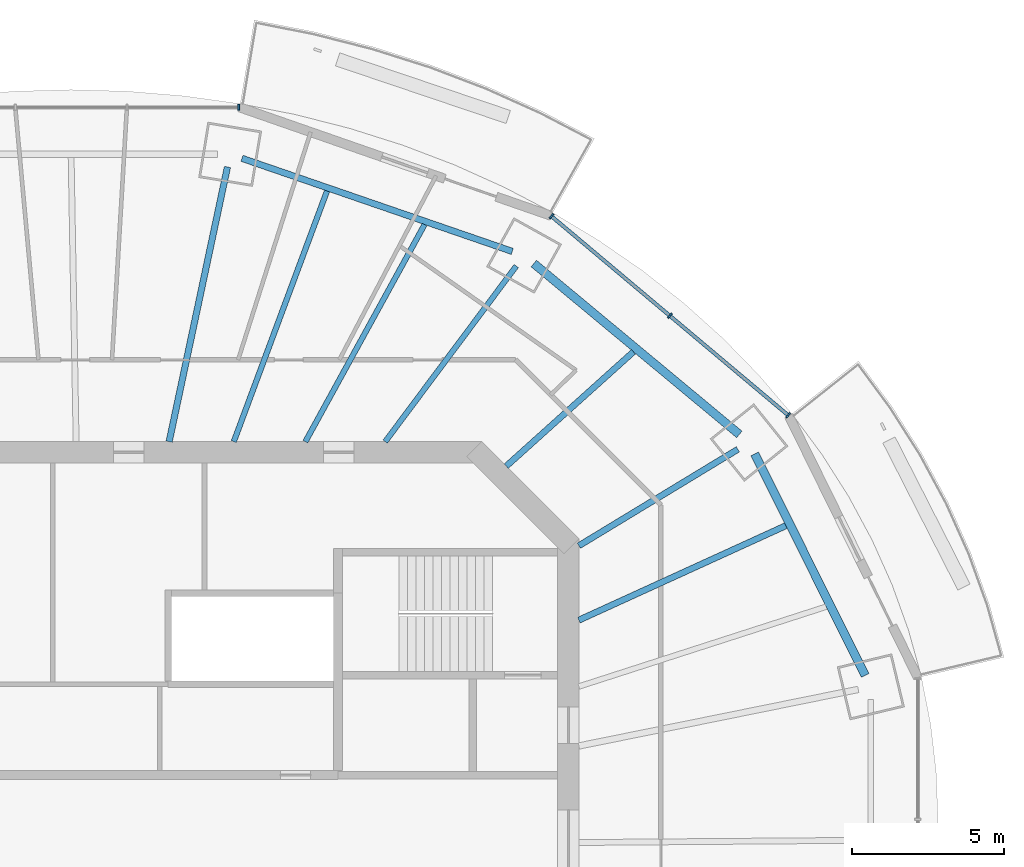
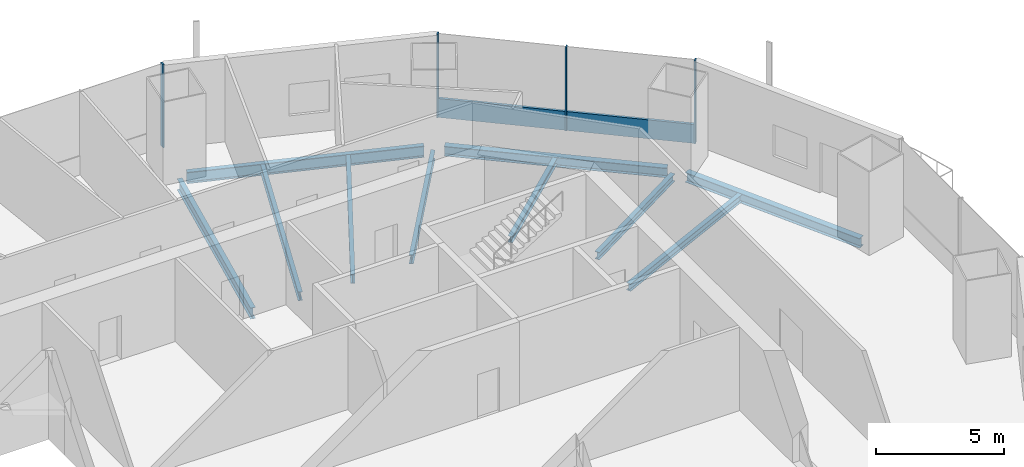
# One storey, part 6 of 16: 10 beams, 5 members, 2 elements without a shape of their own.
"""IFC4 building model written with IfcOpenShell, lengths in metres."""

from ifc_helpers import new_model, si_unit, direction, frame, origin, origin_2d, place, context, subcontext, project, spatial, rectangle, i_section, extrude, material, material_profile, profile_set, type_object, element, aggregate, save


model = new_model("IFC4")

# Units and contexts
model_context = context("Model", 3, precision=1e-05, world=origin(), true_north=direction((0.0, 1.0)))
body_context = subcontext(model_context, "Body", "Model", "MODEL_VIEW")
ifc_project = project(units=[si_unit("LENGTHUNIT", "METRE"), si_unit("AREAUNIT", "SQUARE_METRE"), si_unit("VOLUMEUNIT", "CUBIC_METRE"), si_unit("PLANEANGLEUNIT", "RADIAN"), si_unit("MASSUNIT", "GRAM", prefix="KILO")], contexts=[model_context])

# Site, building, storey
site_placement = place(None, origin())
site = spatial("IfcSite", under=ifc_project, at=site_placement, CompositionType="ELEMENT")
building_placement = place(site_placement, origin())
building = spatial("IfcBuilding", under=site, at=building_placement, Name="Marenthal Gate Tower", CompositionType="ELEMENT")
storey_placement = place(building_placement, frame((0.0, 0.0, 305.25)))
storey = spatial("IfcBuildingStorey", under=building, at=storey_placement, Name="L68", CompositionType="ELEMENT", Elevation=305.25)

# Curtain wall, members
ifc_material_1 = material(Name="Aluminium and glass", Category="aluminium")
curtain_wall_type = type_object("IfcCurtainWallType", Name="Curtain wall typical high", PredefinedType="NOTDEFINED", material=ifc_material_1)
curtain_wall_1_placement = place(storey_placement, origin())
curtain_wall_1 = element("IfcCurtainWall", 1, at=curtain_wall_1_placement, inside=storey, type_object=curtain_wall_type, Name="Curtain wall L68 bay 2", PredefinedType="NOTDEFINED")
ifc_material_2 = material(Name="Aluminium", Category="aluminium")
ifc_material_profile_1 = material_profile(ifc_material_2, rectangle(XDim=0.199951171875, YDim=0.06005859375, at=origin_2d()), Name="60x200 aluminium mullion")
ifc_profile_set_1 = profile_set([ifc_material_profile_1], Name="Aluminium")
member_type_1 = type_object("IfcMemberType", Name="Mullion 60x200 typical high", PredefinedType="MULLION", material=ifc_profile_set_1)
member_1_placement = place(storey_placement, frame((23.25390625, 14.218505859375, 0.0), z_axis=(0.0, 0.0, 1.0), x_axis=(-0.643479945432, -0.765462970905, 0.0)))
member_1 = element("IfcMember", 2, at=member_1_placement, type_object=member_type_1, Name="Mullion L68 bay 2.1", PredefinedType="MULLION", context=body_context, shape_type="SweptSolid", body=[
    extrude(rectangle(XDim=0.199951171875, YDim=0.06005859375, at=origin_2d()), origin(), (0.0, 0.0, 1.0), 3.969970703125),
])
member_2_placement = place(storey_placement, frame((19.3486328125, 17.50146484375, 0.0), z_axis=(0.0, 0.0, 1.0), x_axis=(-0.643479945432, -0.765462970905, 0.0)))
member_2 = element("IfcMember", 3, at=member_2_placement, type_object=member_type_1, Name="Mullion L68 bay 2.2", PredefinedType="MULLION", context=body_context, shape_type="SweptSolid", body=[
    extrude(rectangle(XDim=0.199951171875, YDim=0.06005859375, at=origin_2d()), origin(), (0.0, 0.0, 1.0), 3.969970703125),
])
member_3_placement = place(storey_placement, frame((15.443359375, 20.784423828125, 0.0), z_axis=(0.0, 0.0, 1.0), x_axis=(-0.643479945432, -0.765462970905, 0.0)))
member_3 = element("IfcMember", 4, at=member_3_placement, type_object=member_type_1, Name="Mullion L68 bay 2.3", PredefinedType="MULLION", context=body_context, shape_type="SweptSolid", body=[
    extrude(rectangle(XDim=0.199951171875, YDim=0.06005859375, at=origin_2d()), origin(), (0.0, 0.0, 1.0), 3.969970703125),
])

# Curtain wall, member
curtain_wall_2_placement = place(storey_placement, origin())
curtain_wall_2 = element("IfcCurtainWall", 5, at=curtain_wall_2_placement, inside=storey, type_object=curtain_wall_type, Name="Curtain wall L68 bay 4", PredefinedType="NOTDEFINED")
member_4_placement = place(storey_placement, frame((5.12548828125, 24.3779296875, 0.0), z_axis=(0.0, 0.0, 1.0), x_axis=(0.0, -1.0, 0.0)))
member_4 = element("IfcMember", 6, at=member_4_placement, type_object=member_type_1, Name="Mullion L68 bay 4.1", PredefinedType="MULLION", context=body_context, shape_type="SweptSolid", body=[
    extrude(rectangle(XDim=0.199951171875, YDim=0.06005859375, at=origin_2d()), origin(), (0.0, 0.0, 1.0), 3.969970703125),
])
aggregate(curtain_wall_2, [member_4])

# Member
ifc_material_3 = material(Name="Aluminium", Category="aluminium")
ifc_material_profile_2 = material_profile(ifc_material_3, rectangle(XDim=0.1201171875, YDim=0.89990234375, at=origin_2d()), Name="120x900 aluminium transom")
ifc_profile_set_2 = profile_set([ifc_material_profile_2], Name="Aluminium")
member_type_2 = type_object("IfcMemberType", Name="Transom 120x900 typical high", PredefinedType="USERDEFINED", material=ifc_profile_set_2)
member_5_placement = place(storey_placement, frame((23.23095703125, 14.23779296875, 0.449951171875), z_axis=(-0.765460155219, 0.643483294866, 0.0), x_axis=(-0.643483294866, -0.765460155219, 0.0)))
member_5 = element("IfcMember", 7, at=member_5_placement, type_object=member_type_2, Name="Transom L68 bay 2", ObjectType="TRANSOM", PredefinedType="USERDEFINED", context=body_context, shape_type="SweptSolid", body=[
    extrude(rectangle(XDim=0.1201171875, YDim=0.89990234375, at=origin_2d()), origin(), (0.0, 0.0, 1.0), 10.143798828125),
])

aggregate(curtain_wall_1, [member_1, member_2, member_3, member_5])

# Beams
ifc_material_4 = material(Name="Steel S355", Category="steel")
ifc_material_profile_3 = material_profile(ifc_material_4, i_section(OverallWidth=0.202880859375, OverallDepth=0.302001953125, WebThickness=0.007568359375, FlangeThickness=0.01318359375, FilletRadius=0.0126953125, at=origin_2d()), Name="W310X60")
ifc_profile_set_3 = profile_set([ifc_material_profile_3], Name="Steel S355")
beam_type_1 = type_object("IfcBeamType", Name="W310X60 beam", PredefinedType="BEAM", material=ifc_profile_set_3)
beam_1_placement = place(storey_placement, frame((18.148193359375, 16.3115234375, -0.3310546875), z_axis=(-0.743743846244, -0.668464726948, 0.0), x_axis=(0.668464726948, -0.743743846244, 0.0)))
element("IfcBeam", 8, at=beam_1_placement, inside=storey, type_object=beam_type_1, Name="BM-L68-19", PredefinedType="BEAM", context=body_context, shape_type="SweptSolid", body=[
    extrude(i_section(OverallWidth=0.202880859375, OverallDepth=0.302001953125, WebThickness=0.007568359375, FlangeThickness=0.01318359375, FilletRadius=0.0126953125, at=origin_2d()), origin(), (0.0, 0.0, 1.0), 5.639892578125),
])
ifc_material_5 = material(Name="Steel S355", Category="steel")
ifc_material_profile_4 = material_profile(ifc_material_5, i_section(OverallWidth=0.205078125, OverallDepth=0.35302734375, WebThickness=0.009521484375, FlangeThickness=0.016845703125, FilletRadius=0.014892578125, at=origin_2d()), Name="W360X79")
ifc_profile_set_4 = profile_set([ifc_material_profile_4], Name="Steel S355")
beam_type_2 = type_object("IfcBeamType", Name="W360X79 beam", PredefinedType="BEAM", material=ifc_profile_set_4)
beam_2_placement = place(storey_placement, frame((21.593017578125, 13.0966796875, -0.3564453125), z_axis=(-0.855023977864, -0.518588466202, 0.0), x_axis=(0.518588466202, -0.855023977864, 0.0)))
element("IfcBeam", 9, at=beam_2_placement, inside=storey, type_object=beam_type_2, Name="BM-L68-02", PredefinedType="BEAM", context=body_context, shape_type="SweptSolid", body=[
    extrude(i_section(OverallWidth=0.205078125, OverallDepth=0.35302734375, WebThickness=0.009521484375, FlangeThickness=0.016845703125, FilletRadius=0.014892578125, at=origin_2d()), origin(), (0.0, 0.0, 1.0), 6.1318359375),
])
beam_3_placement = place(storey_placement, frame((23.1748046875, 10.576904296875, -0.3564453125), z_axis=(-0.909732366313, -0.415195160958, 0.0), x_axis=(0.415195160958, -0.909732366313, 0.0)))
element("IfcBeam", 10, at=beam_3_placement, inside=storey, type_object=beam_type_2, Name="BM-L68-18", PredefinedType="BEAM", context=body_context, shape_type="SweptSolid", body=[
    extrude(i_section(OverallWidth=0.205078125, OverallDepth=0.35302734375, WebThickness=0.009521484375, FlangeThickness=0.016845703125, FilletRadius=0.014892578125, at=origin_2d()), origin(), (0.0, 0.0, 1.0), 7.501953125),
])
ifc_material_6 = material(Name="Steel S355", Category="steel")
ifc_material_profile_5 = material_profile(ifc_material_6, i_section(OverallWidth=0.180908203125, OverallDepth=0.4169921875, WebThickness=0.010986328125, FlangeThickness=0.018310546875, FilletRadius=0.01025390625, at=origin_2d()), Name="W410X85")
ifc_profile_set_5 = profile_set([ifc_material_profile_5], Name="Steel S355")
beam_type_3 = type_object("IfcBeamType", Name="W410X85 beam", PredefinedType="BEAM", material=ifc_profile_set_5)
beam_4_placement = place(storey_placement, frame((14.283447265625, 19.142578125, -0.388427734375), z_axis=(-0.598041666214, -0.801465012008, 0.0), x_axis=(0.801465012008, -0.598041666214, 0.0)))
element("IfcBeam", 11, at=beam_4_placement, inside=storey, type_object=beam_type_3, Name="BM-L68-03", PredefinedType="BEAM", context=body_context, shape_type="SweptSolid", body=[
    extrude(i_section(OverallWidth=0.180908203125, OverallDepth=0.4169921875, WebThickness=0.010986328125, FlangeThickness=0.018310546875, FilletRadius=0.01025390625, at=origin_2d()), origin(), (0.0, 0.0, 1.0), 7.227294921875),
])
beam_5_placement = place(storey_placement, frame((11.259033203125, 20.508544921875, -0.388427734375), z_axis=(-0.481240344401, -0.876588689706, 0.0), x_axis=(0.876588689706, -0.481240344401, 0.0)))
element("IfcBeam", 12, at=beam_5_placement, inside=storey, type_object=beam_type_3, Name="BM-L68-20", PredefinedType="BEAM", context=body_context, shape_type="SweptSolid", body=[
    extrude(i_section(OverallWidth=0.180908203125, OverallDepth=0.4169921875, WebThickness=0.010986328125, FlangeThickness=0.018310546875, FilletRadius=0.01025390625, at=origin_2d()), origin(), (0.0, 0.0, 1.0), 8.166259765625),
])
beam_6_placement = place(storey_placement, frame((8.0419921875, 21.6162109375, -0.388427734375), z_axis=(-0.348701480511, -0.937233843547, 0.0), x_axis=(0.937233843547, -0.348701480511, 0.0)))
element("IfcBeam", 13, at=beam_6_placement, inside=storey, type_object=beam_type_3, Name="BM-L68-21", PredefinedType="BEAM", context=body_context, shape_type="SweptSolid", body=[
    extrude(i_section(OverallWidth=0.180908203125, OverallDepth=0.4169921875, WebThickness=0.010986328125, FlangeThickness=0.018310546875, FilletRadius=0.01025390625, at=origin_2d()), origin(), (0.0, 0.0, 1.0), 8.819580078125),
])
ifc_material_7 = material(Name="Steel S355", Category="steel")
ifc_material_profile_6 = material_profile(ifc_material_7, i_section(OverallWidth=0.279052734375, OverallDepth=0.4619140625, WebThickness=0.0107421875, FlangeThickness=0.017333984375, FilletRadius=0.010009765625, at=origin_2d()), Name="W460X113")
ifc_profile_set_6 = profile_set([ifc_material_profile_6], Name="Steel S355")
beam_type_4 = type_object("IfcBeamType", Name="W460X113 beam", PredefinedType="BEAM", material=ifc_profile_set_6)
beam_7_placement = place(storey_placement, frame((25.790283203125, 5.64111328125, -0.410888671875), z_axis=(-0.446016397949, 0.895024788908, 0.0), x_axis=(-0.895024788908, -0.446016397949, 0.0)))
element("IfcBeam", 14, at=beam_7_placement, inside=storey, type_object=beam_type_4, Name="BM-L68-41", PredefinedType="BEAM", context=body_context, shape_type="SweptSolid", body=[
    extrude(i_section(OverallWidth=0.279052734375, OverallDepth=0.4619140625, WebThickness=0.0107421875, FlangeThickness=0.017333984375, FilletRadius=0.010009765625, at=origin_2d()), origin(), (0.0, 0.0, 1.0), 8.159912109375),
])
beam_8_placement = place(storey_placement, frame((21.6416015625, 13.5888671875, -0.410888671875), z_axis=(-0.769010658492, 0.639235955752, 0.0), x_axis=(-0.639235955752, -0.769010658492, 0.0)))
element("IfcBeam", 15, at=beam_8_placement, inside=storey, type_object=beam_type_4, Name="BM-L68-42", PredefinedType="BEAM", context=body_context, shape_type="SweptSolid", body=[
    extrude(i_section(OverallWidth=0.279052734375, OverallDepth=0.4619140625, WebThickness=0.0107421875, FlangeThickness=0.017333984375, FilletRadius=0.010009765625, at=origin_2d()), origin(), (0.0, 0.0, 1.0), 8.815673828125),
])
ifc_material_8 = material(Name="Steel S355", Category="steel")
ifc_material_profile_7 = material_profile(ifc_material_8, i_section(OverallWidth=0.2099609375, OverallDepth=0.535888671875, WebThickness=0.010986328125, FlangeThickness=0.017333984375, FilletRadius=0.0126953125, at=origin_2d()), Name="W530X101")
ifc_profile_set_7 = profile_set([ifc_material_profile_7], Name="Steel S355")
beam_type_5 = type_object("IfcBeamType", Name="W530X101 beam", PredefinedType="BEAM", material=ifc_profile_set_7)
beam_9_placement = place(storey_placement, frame((4.758544921875, 22.41162109375, -0.447998046875), z_axis=(-0.207678454647, -0.97819714755, 0.0), x_axis=(0.97819714755, -0.207678454647, 0.0)))
element("IfcBeam", 16, at=beam_9_placement, inside=storey, type_object=beam_type_5, Name="BM-L68-04", PredefinedType="BEAM", context=body_context, shape_type="SweptSolid", body=[
    extrude(i_section(OverallWidth=0.2099609375, OverallDepth=0.535888671875, WebThickness=0.010986328125, FlangeThickness=0.017333984375, FilletRadius=0.0126953125, at=origin_2d()), origin(), (0.0, 0.0, 1.0), 9.263427734375),
])
ifc_material_9 = material(Name="Steel S355", Category="steel")
ifc_material_profile_8 = material_profile(ifc_material_9, i_section(OverallWidth=0.2119140625, OverallDepth=0.5439453125, WebThickness=0.01318359375, FlangeThickness=0.021240234375, FilletRadius=0.0126953125, at=origin_2d()), Name="W530X123")
ifc_profile_set_8 = profile_set([ifc_material_profile_8], Name="Steel S355")
beam_type_6 = type_object("IfcBeamType", Name="W530X123 beam", PredefinedType="BEAM", material=ifc_profile_set_8)
beam_10_placement = place(storey_placement, frame((14.151123046875, 19.624755859375, -0.451904296875), z_axis=(-0.945516546664, 0.325574046853, 0.0), x_axis=(-0.325574046853, -0.945516546664, 0.0)))
element("IfcBeam", 17, at=beam_10_placement, inside=storey, type_object=beam_type_6, Name="BM-L68-43", PredefinedType="BEAM", context=body_context, shape_type="SweptSolid", body=[
    extrude(i_section(OverallWidth=0.2119140625, OverallDepth=0.5439453125, WebThickness=0.01318359375, FlangeThickness=0.021240234375, FilletRadius=0.0126953125, at=origin_2d()), origin(), (0.0, 0.0, 1.0), 9.427490234375),
])

save(model, "model.ifc")
